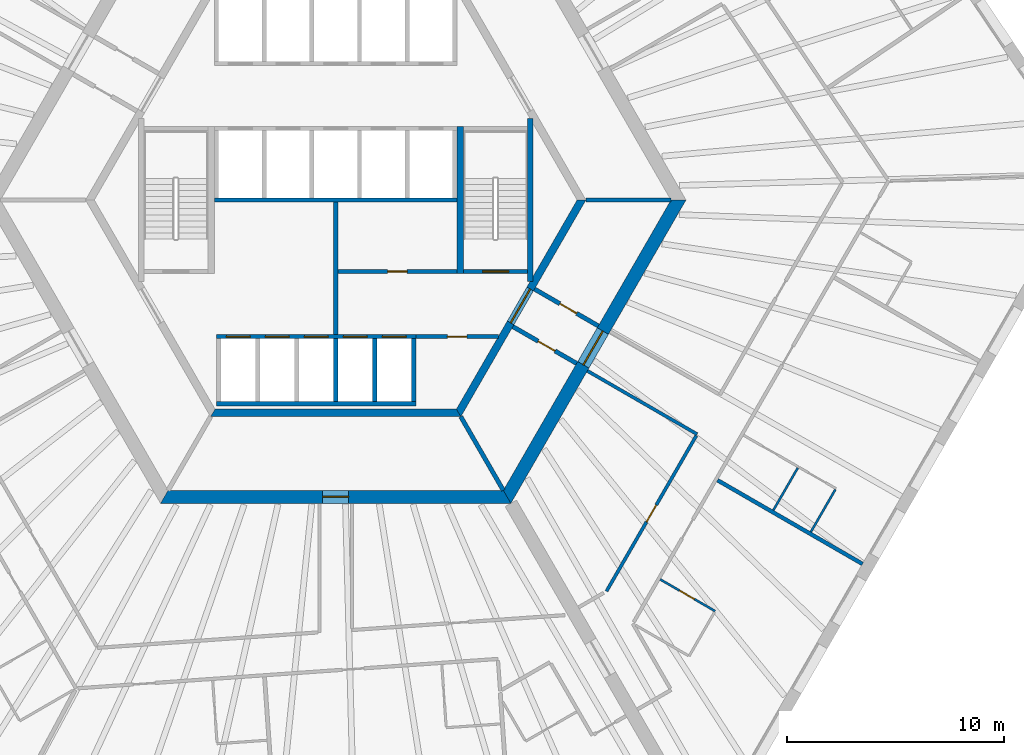
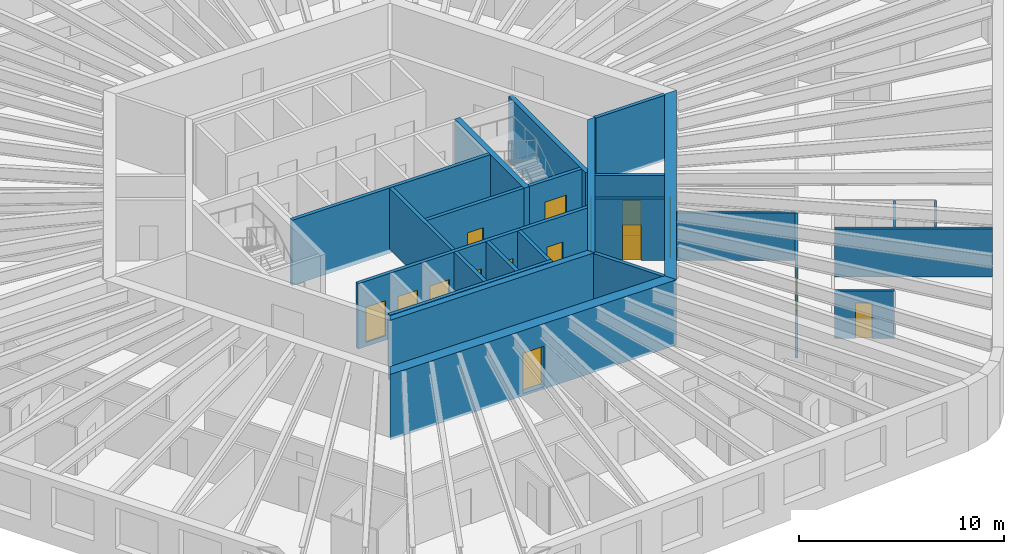
# One storey, part 5 of 12: 26 walls, 15 doors, 15 openings.
"""IFC4 building model written with IfcOpenShell, lengths in metres."""

from ifc_helpers import new_model, si_unit, direction, frame, frame_2d, origin, place, context, subcontext, project, spatial, polyline, rectangle, outline, extrude, material, layer, layer_set, type_object, element, fill, save


model = new_model("IFC4")

# Units and contexts
model_context = context("Model", 3, precision=1e-05, world=origin(), true_north=direction((0.0, 1.0)))
body_context = subcontext(model_context, "Body", "Model", "MODEL_VIEW")
ifc_project = project(units=[si_unit("LENGTHUNIT", "METRE"), si_unit("AREAUNIT", "SQUARE_METRE"), si_unit("VOLUMEUNIT", "CUBIC_METRE"), si_unit("PLANEANGLEUNIT", "RADIAN"), si_unit("MASSUNIT", "GRAM", prefix="KILO")], contexts=[model_context])

# Site, building, storey
site_placement = place(None, origin())
site = spatial("IfcSite", under=ifc_project, at=site_placement, CompositionType="ELEMENT")
building_placement = place(site_placement, origin())
building = spatial("IfcBuilding", under=site, at=building_placement, Name="Tarnside Tower", CompositionType="ELEMENT")
storey_placement = place(building_placement, frame((0.0, 0.0, 138.89990234375)))
storey = spatial("IfcBuildingStorey", under=building, at=storey_placement, Name="L32", CompositionType="ELEMENT", Elevation=138.89990234375)

# Wall, opening, door
ifc_material_1 = material(Name="Gypsum board partition on steel studs", Category="steel")
ifc_layer_1 = layer(ifc_material_1, 0.10009765625)
ifc_layer_set_1 = layer_set([ifc_layer_1], Name="Bathroom wall 100")
wall_type_1 = type_object("IfcWallType", Name="Bathroom wall 100", PredefinedType="PARTITIONING", material=ifc_layer_set_1)
wall_1_placement = place(storey_placement, frame((14.97705078125, -17.509033203125, 0.0), z_axis=(0.0, 0.0, 1.0), x_axis=(0.866046596414, -0.499963291492, 0.0)))
wall_1 = element("IfcWall", 1, at=wall_1_placement, inside=storey, type_object=wall_type_1, Name="Bathroom wall 10132", PredefinedType="PARTITIONING", context=body_context, shape_type="SweptSolid", body=[
    extrude(rectangle(XDim=2.925048828125, YDim=0.10009765625, at=frame_2d((1.46240234375, 0.0))), origin(), (0.0, 0.0, 1.0), 2.837890625),
])
opening_1_placement = place(wall_1_placement, frame((1.02490234375, 0.0, 0.0)))
opening_1 = element("IfcOpeningElement", 2, at=opening_1_placement, cuts=wall_1, Name="Opening D-B1", PredefinedType="OPENING", context=body_context, shape_type="SweptSolid", body=[
    extrude(rectangle(XDim=0.800048828125, YDim=2.10009765625, at=frame_2d((0.39990234375, 1.050048828125))), frame((0.0, 0.06005859375, 0.0), z_axis=(0.0, -1.0, 0.0), x_axis=(1.0, 0.0, 0.0)), (0.0, 0.0, 1.0), 0.1201171875),
])
ifc_material_2 = material(Name="Timber door leaf", Category="wood")
door_type_1 = type_object("IfcDoorType", Name="Bathroom door 800", OperationType="NOTDEFINED", PredefinedType="DOOR", material=ifc_material_2)
door_1_placement = place(opening_1_placement, origin())
door_1 = element("IfcDoor", 3, at=door_1_placement, inside=storey, type_object=door_type_1, Name="Bathroom door 10030", OperationType="SINGLE_SWING_RIGHT", OverallHeight=2.10009765625, OverallWidth=0.800048828125, PredefinedType="DOOR", context=body_context, shape_type="SweptSolid", body=[
    extrude(rectangle(XDim=0.800048828125, YDim=2.10009765625, at=frame_2d((0.39990234375, 1.050048828125))), frame((0.0, 0.02490234375, 0.0), z_axis=(0.0, -1.0, 0.0), x_axis=(1.0, 0.0, 0.0)), (0.0, 0.0, 1.0), 0.050048828125),
])
fill(opening_1, door_1)

# Walls
wall_2_placement = place(storey_placement, frame((20.197998046875, -14.31591796875, 0.0), z_axis=(0.0, 0.0, 1.0), x_axis=(0.500031020067, 0.8660074936, 0.0)))
element("IfcWall", 4, at=wall_2_placement, inside=storey, type_object=wall_type_1, Name="Bathroom wall 10143", PredefinedType="PARTITIONING", context=body_context, shape_type="SweptSolid", body=[
    extrude(rectangle(XDim=2.260009765625, YDim=0.10009765625, at=frame_2d((1.1298828125, 0.0))), origin(), (0.0, 0.0, 1.0), 2.837890625),
])
ifc_material_3 = material(Name="Concrete C50/60", Category="concrete")
ifc_layer_2 = layer(ifc_material_3, 0.35009765625)
ifc_layer_set_2 = layer_set([ifc_layer_2], Name="Core block wall 350 C50/60")
wall_type_2 = type_object("IfcWallType", Name="Core block wall 350 C50/60", PredefinedType="SHEAR", material=ifc_layer_set_2)
wall_3_placement = place(storey_placement, frame((-5.672607421875, -9.824951171875, -0.14990234375), z_axis=(0.0, 0.0, 1.0), x_axis=(1.0, 0.0, 0.0)))
element("IfcWall", 5, at=wall_3_placement, inside=storey, type_object=wall_type_2, Name="L32 core block wall face 4", PredefinedType="SHEAR", context=body_context, shape_type="SweptSolid", body=[
    extrude(outline(polyline([(-0.10107421875, -0.175048828125), (11.4462890625, -0.175048828125), (11.244140625, 0.175048828125), (0.10107421875, 0.175048828125), (-0.10107421875, -0.175048828125)])), origin(), (0.0, 0.0, 1.0), 3.89990234375),
])

# Wall, opening, door
wall_4_placement = place(storey_placement, frame((5.672607421875, -9.824951171875, -0.14990234375), z_axis=(0.0, 0.0, 1.0), x_axis=(0.499995046907, 0.866028263435, 0.0)))
wall_4 = element("IfcWall", 6, at=wall_4_placement, inside=storey, type_object=wall_type_2, Name="L32 core block wall face 5", PredefinedType="SHEAR", context=body_context, shape_type="SweptSolid", body=[
    extrude(outline(polyline([(-0.10107421875, -0.175048828125), (11.44580078125, -0.175048828125), (11.24365234375, 0.175048828125), (0.10107421875, 0.175048828125), (-0.10107421875, -0.175048828125)])), origin(), (0.0, 0.0, 1.0), 3.89990234375),
])
opening_2_placement = place(wall_4_placement, frame((4.80126953125, 0.0, 0.14990234375)))
opening_2 = element("IfcOpeningElement", 7, at=opening_2_placement, cuts=wall_4, Name="Opening CD-FFL", PredefinedType="OPENING", context=body_context, shape_type="SweptSolid", body=[
    extrude(rectangle(XDim=1.800048828125, YDim=2.39990234375, at=frame_2d((0.89990234375, 1.199951171875))), frame((0.0, 0.18505859375, 0.0), z_axis=(0.0, -1.0, 0.0), x_axis=(1.0, 0.0, 0.0)), (0.0, 0.0, 1.0), 0.3701171875),
])
ifc_material_4 = material(Name="Steel fire door", Category="steel")
door_type_2 = type_object("IfcDoorType", Name="Firefighting lobby double door FD60S 1800x2400", OperationType="NOTDEFINED", PredefinedType="DOOR", material=ifc_material_4)
door_2_placement = place(opening_2_placement, origin())
door_2 = element("IfcDoor", 8, at=door_2_placement, inside=storey, type_object=door_type_2, Name="L32 lobby block door P4", OperationType="DOUBLE_DOOR_SINGLE_SWING", OverallHeight=2.39990234375, OverallWidth=1.800048828125, PredefinedType="DOOR", context=body_context, shape_type="SweptSolid", body=[
    extrude(rectangle(XDim=1.800048828125, YDim=2.39990234375, at=frame_2d((0.89990234375, 1.199951171875))), frame((0.0, 0.02490234375, 0.0), z_axis=(0.0, -1.0, 0.0), x_axis=(1.0, 0.0, 0.0)), (0.0, 0.0, 1.0), 0.050048828125),
])
fill(opening_2, door_2)

ifc_material_5 = material(Name="Concrete C40/50", Category="concrete")
ifc_layer_3 = layer(ifc_material_5, 0.199951171875)
ifc_layer_set_3 = layer_set([ifc_layer_3], Name="Core room partition 200 C40/50")
wall_type_3 = type_object("IfcWallType", Name="Core room partition 200 C40/50", PredefinedType="PARTITIONING", material=ifc_layer_set_3)
wall_5_placement = place(storey_placement, frame((0.10009765625, -3.300048828125, 0.0), z_axis=(0.0, 0.0, 1.0), x_axis=(1.0, 0.0, 0.0)))
wall_5 = element("IfcWall", 9, at=wall_5_placement, inside=storey, type_object=wall_type_3, Name="L32 core partition R3S1", PredefinedType="PARTITIONING", context=body_context, shape_type="SweptSolid", body=[
    extrude(rectangle(XDim=5.5, YDim=0.199951171875, at=frame_2d((2.75, 0.0))), origin(), (0.0, 0.0, 1.0), 3.650146484375),
])
opening_3_placement = place(wall_5_placement, frame((2.300048828125, 0.0, 0.0)))
opening_3 = element("IfcOpeningElement", 10, at=opening_3_placement, cuts=wall_5, Name="Opening CD-room", PredefinedType="OPENING", context=body_context, shape_type="SweptSolid", body=[
    extrude(rectangle(XDim=0.89990234375, YDim=2.10009765625, at=frame_2d((0.449951171875, 1.050048828125))), frame((0.0, 0.10986328125, 0.0), z_axis=(0.0, -1.0, 0.0), x_axis=(1.0, 0.0, 0.0)), (0.0, 0.0, 1.0), 0.219970703125),
])
door_type_3 = type_object("IfcDoorType", Name="Room door FD60 900x2100", OperationType="NOTDEFINED", PredefinedType="DOOR", material=ifc_material_4)
door_3_placement = place(opening_3_placement, origin())
door_3 = element("IfcDoor", 11, at=door_3_placement, inside=storey, type_object=door_type_3, Name="L32 core room door SR1", OperationType="SINGLE_SWING_LEFT", OverallHeight=2.10009765625, OverallWidth=0.89990234375, PredefinedType="DOOR", context=body_context, shape_type="SweptSolid", body=[
    extrude(rectangle(XDim=0.89990234375, YDim=2.10009765625, at=frame_2d((0.449951171875, 1.050048828125))), frame((0.0, 0.02490234375, 0.0), z_axis=(0.0, -1.0, 0.0), x_axis=(1.0, 0.0, 0.0)), (0.0, 0.0, 1.0), 0.050048828125),
])
fill(opening_3, door_3)

# Wall
wall_6_placement = place(storey_placement, frame((0.0, -6.199951171875, 0.0), z_axis=(0.0, 0.0, 1.0), x_axis=(0.0, 1.0, 0.0)))
element("IfcWall", 12, at=wall_6_placement, inside=storey, type_object=wall_type_3, Name="L32 core partition X0", PredefinedType="PARTITIONING", context=body_context, shape_type="SweptSolid", body=[
    extrude(rectangle(XDim=6.099853515625, YDim=0.199951171875, at=frame_2d((3.0498046875, 0.0))), origin(), (0.0, 0.0, 1.0), 3.650146484375),
])

# Wall, opening, door
wall_7_placement = place(storey_placement, frame((3.699951171875, -6.300048828125, 0.0), z_axis=(0.0, 0.0, 1.0), x_axis=(1.0, 0.0, 0.0)))
wall_7 = element("IfcWall", 13, at=wall_7_placement, inside=storey, type_object=wall_type_3, Name="L32 core partition R4X", PredefinedType="PARTITIONING", context=body_context, shape_type="SweptSolid", body=[
    extrude(rectangle(XDim=3.8056640625, YDim=0.199951171875, at=frame_2d((1.90283203125, 0.0))), origin(), (0.0, 0.0, 1.0), 3.650146484375),
])
opening_4_placement = place(wall_7_placement, frame((1.452880859375, 0.0, 0.0)))
opening_4 = element("IfcOpeningElement", 14, at=opening_4_placement, cuts=wall_7, Name="Opening CD-room", PredefinedType="OPENING", context=body_context, shape_type="SweptSolid", body=[
    extrude(rectangle(XDim=0.89990234375, YDim=2.10009765625, at=frame_2d((0.449951171875, 1.050048828125))), frame((0.0, 0.10986328125, 0.0), z_axis=(0.0, -1.0, 0.0), x_axis=(1.0, 0.0, 0.0)), (0.0, 0.0, 1.0), 0.219970703125),
])
door_4_placement = place(opening_4_placement, origin())
door_4 = element("IfcDoor", 15, at=door_4_placement, inside=storey, type_object=door_type_3, Name="L32 core room door RX", OperationType="SINGLE_SWING_LEFT", OverallHeight=2.10009765625, OverallWidth=0.89990234375, PredefinedType="DOOR", context=body_context, shape_type="SweptSolid", body=[
    extrude(rectangle(XDim=0.89990234375, YDim=2.10009765625, at=frame_2d((0.449951171875, 1.050048828125))), frame((0.0, 0.02490234375, 0.0), z_axis=(0.0, -1.0, 0.0), x_axis=(1.0, 0.0, 0.0)), (0.0, 0.0, 1.0), 0.050048828125),
])
fill(opening_4, door_4)

wall_8_placement = place(storey_placement, frame((9.1748046875, -4.10888671875, 0.0), z_axis=(0.0, 0.0, 1.0), x_axis=(0.865989465428, -0.500062241894, 0.0)))
wall_8 = element("IfcWall", 16, at=wall_8_placement, inside=storey, type_object=wall_type_3, Name="L32 core partition AC4L", PredefinedType="PARTITIONING", context=body_context, shape_type="SweptSolid", body=[
    extrude(rectangle(XDim=3.39990234375, YDim=0.199951171875, at=frame_2d((1.699951171875, 0.0))), origin(), (0.0, 0.0, 1.0), 3.650146484375),
])
opening_5_placement = place(wall_8_placement, frame((1.3505859375, 0.0, 0.0)))
opening_5 = element("IfcOpeningElement", 17, at=opening_5_placement, cuts=wall_8, Name="Opening CD-room", PredefinedType="OPENING", context=body_context, shape_type="SweptSolid", body=[
    extrude(rectangle(XDim=0.89990234375, YDim=2.10009765625, at=frame_2d((0.449951171875, 1.050048828125))), frame((0.0, 0.10986328125, 0.0), z_axis=(0.0, -1.0, 0.0), x_axis=(1.0, 0.0, 0.0)), (0.0, 0.0, 1.0), 0.219970703125),
])
door_5_placement = place(opening_5_placement, origin())
door_5 = element("IfcDoor", 18, at=door_5_placement, inside=storey, type_object=door_type_3, Name="L32 core room door AX4L", OperationType="SINGLE_SWING_LEFT", OverallHeight=2.10009765625, OverallWidth=0.89990234375, PredefinedType="DOOR", context=body_context, shape_type="SweptSolid", body=[
    extrude(rectangle(XDim=0.89990234375, YDim=2.10009765625, at=frame_2d((0.449951171875, 1.050048828125))), frame((0.0, 0.02490234375, 0.0), z_axis=(0.0, -1.0, 0.0), x_axis=(1.0, 0.0, 0.0)), (0.0, 0.0, 1.0), 0.050048828125),
])
fill(opening_5, door_5)

wall_9_placement = place(storey_placement, frame((8.1748046875, -5.841064453125, 0.0), z_axis=(0.0, 0.0, 1.0), x_axis=(0.866020560687, -0.500008388397, 0.0)))
wall_9 = element("IfcWall", 19, at=wall_9_placement, inside=storey, type_object=wall_type_3, Name="L32 core partition AC4R", PredefinedType="PARTITIONING", context=body_context, shape_type="SweptSolid", body=[
    extrude(rectangle(XDim=3.39990234375, YDim=0.199951171875, at=frame_2d((1.699951171875, 0.0))), origin(), (0.0, 0.0, 1.0), 3.650146484375),
])
opening_6_placement = place(wall_9_placement, frame((1.349609375, 0.0, 0.0)))
opening_6 = element("IfcOpeningElement", 20, at=opening_6_placement, cuts=wall_9, Name="Opening CD-room", PredefinedType="OPENING", context=body_context, shape_type="SweptSolid", body=[
    extrude(rectangle(XDim=0.89990234375, YDim=2.10009765625, at=frame_2d((0.449951171875, 1.050048828125))), frame((0.0, 0.10986328125, 0.0), z_axis=(0.0, -1.0, 0.0), x_axis=(1.0, 0.0, 0.0)), (0.0, 0.0, 1.0), 0.219970703125),
])
door_6_placement = place(opening_6_placement, origin())
door_6 = element("IfcDoor", 21, at=door_6_placement, inside=storey, type_object=door_type_3, Name="L32 core room door AX4R", OperationType="SINGLE_SWING_LEFT", OverallHeight=2.10009765625, OverallWidth=0.89990234375, PredefinedType="DOOR", context=body_context, shape_type="SweptSolid", body=[
    extrude(rectangle(XDim=0.89990234375, YDim=2.10009765625, at=frame_2d((0.449951171875, 1.050048828125))), frame((0.0, 0.02490234375, 0.0), z_axis=(0.0, -1.0, 0.0), x_axis=(1.0, 0.0, 0.0)), (0.0, 0.0, 1.0), 0.050048828125),
])
fill(opening_6, door_6)

ifc_material_6 = material(Name="Concrete C80/95", Category="concrete")
ifc_layer_4 = layer(ifc_material_6, 0.60009765625)
ifc_layer_set_4 = layer_set([ifc_layer_4], Name="Core wall Z1 600 C80/95")
wall_type_4 = type_object("IfcWallType", Name="Core wall Z1 600 C80/95", PredefinedType="SHEAR", material=ifc_layer_set_4)
wall_10_placement = place(storey_placement, frame((-7.90966796875, -13.699951171875, -0.14990234375), z_axis=(0.0, 0.0, 1.0), x_axis=(1.0, 0.0, 0.0)))
wall_10 = element("IfcWall", 22, at=wall_10_placement, inside=storey, type_object=wall_type_4, Name="L32 core wall face 4", PredefinedType="SHEAR", context=body_context, shape_type="SweptSolid", body=[
    extrude(outline(polyline([(-0.17333984375, -0.300048828125), (15.99267578125, -0.300048828125), (15.64599609375, 0.300048828125), (0.17333984375, 0.300048828125), (-0.17333984375, -0.300048828125)])), origin(), (0.0, 0.0, 1.0), 3.89990234375),
])
opening_7_placement = place(wall_10_placement, frame((7.309814453125, 0.0, 0.14990234375)))
opening_7 = element("IfcOpeningElement", 23, at=opening_7_placement, cuts=wall_10, Name="Opening CD-RSR", PredefinedType="OPENING", context=body_context, shape_type="SweptSolid", body=[
    extrude(rectangle(XDim=1.199951171875, YDim=2.39990234375, at=frame_2d((0.60009765625, 1.199951171875))), frame((0.0, 0.31005859375, 0.0), z_axis=(0.0, -1.0, 0.0), x_axis=(1.0, 0.0, 0.0)), (0.0, 0.0, 1.0), 0.6201171875),
])
door_type_4 = type_object("IfcDoorType", Name="Riser door FD60 1200x2400", OperationType="NOTDEFINED", PredefinedType="DOOR", material=ifc_material_4)
door_7_placement = place(opening_7_placement, origin())
door_7 = element("IfcDoor", 24, at=door_7_placement, inside=storey, type_object=door_type_4, Name="L32 core door S6", OperationType="SINGLE_SWING_LEFT", OverallHeight=2.39990234375, OverallWidth=1.199951171875, PredefinedType="DOOR", context=body_context, shape_type="SweptSolid", body=[
    extrude(rectangle(XDim=1.199951171875, YDim=2.39990234375, at=frame_2d((0.60009765625, 1.199951171875))), frame((0.0, 0.02490234375, 0.0), z_axis=(0.0, -1.0, 0.0), x_axis=(1.0, 0.0, 0.0)), (0.0, 0.0, 1.0), 0.050048828125),
])
fill(opening_7, door_7)

wall_11_placement = place(storey_placement, frame((7.90966796875, -13.699951171875, -0.14990234375), z_axis=(0.0, 0.0, 1.0), x_axis=(0.499999880136, 0.866025472988, 0.0)))
wall_11 = element("IfcWall", 25, at=wall_11_placement, inside=storey, type_object=wall_type_4, Name="L32 core wall face 5", PredefinedType="SHEAR", context=body_context, shape_type="SweptSolid", body=[
    extrude(outline(polyline([(-0.17333984375, -0.300048828125), (15.99267578125, -0.300048828125), (15.64599609375, 0.300048828125), (0.17333984375, 0.300048828125), (-0.17333984375, -0.300048828125)])), origin(), (0.0, 0.0, 1.0), 3.89990234375),
])
opening_8_placement = place(wall_11_placement, frame((7.03857421875, 0.0, 0.14990234375)))
opening_8 = element("IfcOpeningElement", 26, at=opening_8_placement, cuts=wall_11, Name="Opening CD-FFL", PredefinedType="OPENING", context=body_context, shape_type="SweptSolid", body=[
    extrude(rectangle(XDim=1.800048828125, YDim=2.39990234375, at=frame_2d((0.89990234375, 1.199951171875))), frame((0.0, 0.31005859375, 0.0), z_axis=(0.0, -1.0, 0.0), x_axis=(1.0, 0.0, 0.0)), (0.0, 0.0, 1.0), 0.6201171875),
])
door_8_placement = place(opening_8_placement, origin())
door_8 = element("IfcDoor", 27, at=door_8_placement, inside=storey, type_object=door_type_2, Name="L32 core door P4", OperationType="DOUBLE_DOOR_SINGLE_SWING", OverallHeight=2.39990234375, OverallWidth=1.800048828125, PredefinedType="DOOR", context=body_context, shape_type="SweptSolid", body=[
    extrude(rectangle(XDim=1.800048828125, YDim=2.39990234375, at=frame_2d((0.89990234375, 1.199951171875))), frame((0.0, 0.02490234375, 0.0), z_axis=(0.0, -1.0, 0.0), x_axis=(1.0, 0.0, 0.0)), (0.0, 0.0, 1.0), 0.050048828125),
])
fill(opening_8, door_8)

# Wall
ifc_layer_5 = layer(ifc_material_1, 0.14990234375)
ifc_layer_set_5 = layer_set([ifc_layer_5], Name="Corridor wall 150 EI 60")
wall_type_5 = type_object("IfcWallType", Name="Corridor wall 150 EI 60", PredefinedType="PARTITIONING", material=ifc_layer_set_5)
wall_12_placement = place(storey_placement, frame((11.61376953125, -7.88427734375, 0.0), z_axis=(0.0, 0.0, 1.0), x_axis=(0.866018092707, -0.500012662943, 0.0)))
element("IfcWall", 28, at=wall_12_placement, inside=storey, type_object=wall_type_5, Name="Corridor wall 10071", PredefinedType="PARTITIONING", context=body_context, shape_type="SweptSolid", body=[
    extrude(rectangle(XDim=5.849853515625, YDim=0.14990234375, at=frame_2d((2.9248046875, 0.0))), origin(), (0.0, 0.0, 1.0), 2.837890625),
])

# Wall, opening, door
wall_13_placement = place(storey_placement, frame((16.642578125, -10.874267578125, 0.0), z_axis=(0.0, 0.0, 1.0), x_axis=(-0.50000192383, -0.866024293058, 0.0)))
wall_13 = element("IfcWall", 29, at=wall_13_placement, inside=storey, type_object=wall_type_5, Name="Corridor wall 10072", PredefinedType="PARTITIONING", context=body_context, shape_type="SweptSolid", body=[
    extrude(rectangle(XDim=8.29296875, YDim=0.14990234375, at=frame_2d((4.146484375, 0.0))), origin(), (0.0, 0.0, 1.0), 2.837890625),
])
opening_9_placement = place(wall_13_placement, frame((3.696533203125, 0.0, 0.0)))
opening_9 = element("IfcOpeningElement", 30, at=opening_9_placement, cuts=wall_13, Name="Opening D-S1", PredefinedType="OPENING", context=body_context, shape_type="SweptSolid", body=[
    extrude(rectangle(XDim=0.89990234375, YDim=2.10009765625, at=frame_2d((0.449951171875, 1.050048828125))), frame((0.0, 0.0849609375, 0.0), z_axis=(0.0, -1.0, 0.0), x_axis=(1.0, 0.0, 0.0)), (0.0, 0.0, 1.0), 0.169921875),
])
door_type_5 = type_object("IfcDoorType", Name="Service room door 900 FD30S", OperationType="NOTDEFINED", PredefinedType="DOOR", material=ifc_material_2)
door_9_placement = place(opening_9_placement, origin())
door_9 = element("IfcDoor", 31, at=door_9_placement, inside=storey, type_object=door_type_5, Name="Service door 10049", OperationType="SINGLE_SWING_RIGHT", OverallHeight=2.10009765625, OverallWidth=0.89990234375, PredefinedType="DOOR", context=body_context, shape_type="SweptSolid", body=[
    extrude(rectangle(XDim=0.89990234375, YDim=2.10009765625, at=frame_2d((0.449951171875, 1.050048828125))), frame((0.0, 0.02490234375, 0.0), z_axis=(0.0, -1.0, 0.0), x_axis=(1.0, 0.0, 0.0)), (0.0, 0.0, 1.0), 0.050048828125),
])
fill(opening_9, door_9)

# Walls
ifc_layer_6 = layer(ifc_material_1, 0.179931640625)
ifc_layer_set_6 = layer_set([ifc_layer_6], Name="Demising wall 180 EI 60")
wall_type_6 = type_object("IfcWallType", Name="Demising wall 180 EI 60", PredefinedType="PARTITIONING", material=ifc_layer_set_6)
wall_14_placement = place(storey_placement, frame((24.31005859375, -16.7939453125, 0.0), z_axis=(0.0, 0.0, 1.0), x_axis=(-0.866027174938, 0.499996932259, 0.0)))
element("IfcWall", 32, at=wall_14_placement, inside=storey, type_object=wall_type_6, Name="Demising wall 10135", PredefinedType="PARTITIONING", context=body_context, shape_type="SweptSolid", body=[
    extrude(rectangle(XDim=7.72509765625, YDim=0.179931640625, at=frame_2d((3.862548828125, 0.0))), origin(), (0.0, 0.0, 1.0), 2.837890625),
])
ifc_layer_7 = layer(ifc_material_5, 0.199951171875)
ifc_layer_set_7 = layer_set([ifc_layer_7], Name="Lift shaft wall 200 C40/50")
wall_type_7 = type_object("IfcWallType", Name="Lift shaft wall 200 C40/50", PredefinedType="SHEAR", material=ifc_layer_set_7)
wall_15_placement = place(storey_placement, frame((-5.60009765625, 0.0, -0.25), z_axis=(0.0, 0.0, 1.0), x_axis=(1.0, 0.0, 0.0)))
element("IfcWall", 33, at=wall_15_placement, inside=storey, type_object=wall_type_7, Name="L32 lift shaft back wall R2", PredefinedType="SHEAR", context=body_context, shape_type="SweptSolid", body=[
    extrude(rectangle(XDim=11.2001953125, YDim=0.199951171875, at=frame_2d((5.60009765625, 0.0))), origin(), (0.0, 0.0, 1.0), 3.900146484375),
])

# Wall, openings, doors
wall_16_placement = place(storey_placement, frame((-5.5, -6.300048828125, -0.25), z_axis=(0.0, 0.0, 1.0), x_axis=(1.0, 0.0, 0.0)))
wall_16 = element("IfcWall", 34, at=wall_16_placement, inside=storey, type_object=wall_type_7, Name="L32 lift shaft front wall R4", PredefinedType="SHEAR", context=body_context, shape_type="SweptSolid", body=[
    extrude(rectangle(XDim=9.199951171875, YDim=0.199951171875, at=frame_2d((4.60009765625, 0.0))), origin(), (0.0, 0.0, 1.0), 3.900146484375),
])
opening_10_placement = place(wall_16_placement, frame((0.449951171875, 0.0, 0.25)))
opening_10 = element("IfcOpeningElement", 35, at=opening_10_placement, cuts=wall_16, Name="Opening LDF", PredefinedType="OPENING", context=body_context, shape_type="SweptSolid", body=[
    extrude(rectangle(XDim=1.10009765625, YDim=2.10009765625, at=frame_2d((0.550048828125, 1.050048828125))), frame((0.0, 0.10986328125, 0.0), z_axis=(0.0, -1.0, 0.0), x_axis=(1.0, 0.0, 0.0)), (0.0, 0.0, 1.0), 0.219970703125),
])
opening_11_placement = place(wall_16_placement, frame((2.25, 0.0, 0.25)))
opening_11 = element("IfcOpeningElement", 36, at=opening_11_placement, cuts=wall_16, Name="Opening LDF", PredefinedType="OPENING", context=body_context, shape_type="SweptSolid", body=[
    extrude(rectangle(XDim=1.10009765625, YDim=2.10009765625, at=frame_2d((0.550048828125, 1.050048828125))), frame((0.0, 0.10986328125, 0.0), z_axis=(0.0, -1.0, 0.0), x_axis=(1.0, 0.0, 0.0)), (0.0, 0.0, 1.0), 0.219970703125),
])
opening_12_placement = place(wall_16_placement, frame((4.050048828125, 0.0, 0.25)))
opening_12 = element("IfcOpeningElement", 37, at=opening_12_placement, cuts=wall_16, Name="Opening LDF", PredefinedType="OPENING", context=body_context, shape_type="SweptSolid", body=[
    extrude(rectangle(XDim=1.10009765625, YDim=2.10009765625, at=frame_2d((0.550048828125, 1.050048828125))), frame((0.0, 0.10986328125, 0.0), z_axis=(0.0, -1.0, 0.0), x_axis=(1.0, 0.0, 0.0)), (0.0, 0.0, 1.0), 0.219970703125),
])
opening_13_placement = place(wall_16_placement, frame((5.85009765625, 0.0, 0.25)))
opening_13 = element("IfcOpeningElement", 38, at=opening_13_placement, cuts=wall_16, Name="Opening LDF", PredefinedType="OPENING", context=body_context, shape_type="SweptSolid", body=[
    extrude(rectangle(XDim=1.10009765625, YDim=2.10009765625, at=frame_2d((0.550048828125, 1.050048828125))), frame((0.0, 0.10986328125, 0.0), z_axis=(0.0, -1.0, 0.0), x_axis=(1.0, 0.0, 0.0)), (0.0, 0.0, 1.0), 0.219970703125),
])
opening_14_placement = place(wall_16_placement, frame((7.64990234375, 0.0, 0.25)))
opening_14 = element("IfcOpeningElement", 39, at=opening_14_placement, cuts=wall_16, Name="Opening LDF", PredefinedType="OPENING", context=body_context, shape_type="SweptSolid", body=[
    extrude(rectangle(XDim=1.10009765625, YDim=2.10009765625, at=frame_2d((0.550048828125, 1.050048828125))), frame((0.0, 0.10986328125, 0.0), z_axis=(0.0, -1.0, 0.0), x_axis=(1.0, 0.0, 0.0)), (0.0, 0.0, 1.0), 0.219970703125),
])
ifc_material_7 = material(Name="Stainless steel", Category="steel")
door_type_6 = type_object("IfcDoorType", Name="Lift landing door 1100x2100 EI 120", OperationType="NOTDEFINED", PredefinedType="DOOR", material=ifc_material_7)
door_10_placement = place(opening_10_placement, origin())
door_10 = element("IfcDoor", 40, at=door_10_placement, inside=storey, type_object=door_type_6, Name="Firefighting lift 1 landing door L32", OperationType="SLIDING_TO_LEFT", OverallHeight=2.10009765625, OverallWidth=1.10009765625, PredefinedType="DOOR", context=body_context, shape_type="SweptSolid", body=[
    extrude(rectangle(XDim=1.10009765625, YDim=2.10009765625, at=frame_2d((0.550048828125, 1.050048828125))), frame((0.0, 0.02490234375, 0.0), z_axis=(0.0, -1.0, 0.0), x_axis=(1.0, 0.0, 0.0)), (0.0, 0.0, 1.0), 0.050048828125),
])
fill(opening_10, door_10)
door_11_placement = place(opening_11_placement, origin())
door_11 = element("IfcDoor", 41, at=door_11_placement, inside=storey, type_object=door_type_6, Name="Firefighting lift 2 landing door L32", OperationType="SLIDING_TO_LEFT", OverallHeight=2.10009765625, OverallWidth=1.10009765625, PredefinedType="DOOR", context=body_context, shape_type="SweptSolid", body=[
    extrude(rectangle(XDim=1.10009765625, YDim=2.10009765625, at=frame_2d((0.550048828125, 1.050048828125))), frame((0.0, 0.02490234375, 0.0), z_axis=(0.0, -1.0, 0.0), x_axis=(1.0, 0.0, 0.0)), (0.0, 0.0, 1.0), 0.050048828125),
])
fill(opening_11, door_11)
door_12_placement = place(opening_12_placement, origin())
door_12 = element("IfcDoor", 42, at=door_12_placement, inside=storey, type_object=door_type_6, Name="Firefighting lift 3 landing door L32", OperationType="SLIDING_TO_LEFT", OverallHeight=2.10009765625, OverallWidth=1.10009765625, PredefinedType="DOOR", context=body_context, shape_type="SweptSolid", body=[
    extrude(rectangle(XDim=1.10009765625, YDim=2.10009765625, at=frame_2d((0.550048828125, 1.050048828125))), frame((0.0, 0.02490234375, 0.0), z_axis=(0.0, -1.0, 0.0), x_axis=(1.0, 0.0, 0.0)), (0.0, 0.0, 1.0), 0.050048828125),
])
fill(opening_12, door_12)
door_13_placement = place(opening_13_placement, origin())
door_13 = element("IfcDoor", 43, at=door_13_placement, inside=storey, type_object=door_type_6, Name="Firefighting lift 4 landing door L32", OperationType="SLIDING_TO_LEFT", OverallHeight=2.10009765625, OverallWidth=1.10009765625, PredefinedType="DOOR", context=body_context, shape_type="SweptSolid", body=[
    extrude(rectangle(XDim=1.10009765625, YDim=2.10009765625, at=frame_2d((0.550048828125, 1.050048828125))), frame((0.0, 0.02490234375, 0.0), z_axis=(0.0, -1.0, 0.0), x_axis=(1.0, 0.0, 0.0)), (0.0, 0.0, 1.0), 0.050048828125),
])
fill(opening_13, door_13)
door_14_placement = place(opening_14_placement, origin())
door_14 = element("IfcDoor", 44, at=door_14_placement, inside=storey, type_object=door_type_6, Name="Firefighting lift 5 landing door L32", OperationType="SLIDING_TO_LEFT", OverallHeight=2.10009765625, OverallWidth=1.10009765625, PredefinedType="DOOR", context=body_context, shape_type="SweptSolid", body=[
    extrude(rectangle(XDim=1.10009765625, YDim=2.10009765625, at=frame_2d((0.550048828125, 1.050048828125))), frame((0.0, 0.02490234375, 0.0), z_axis=(0.0, -1.0, 0.0), x_axis=(1.0, 0.0, 0.0)), (0.0, 0.0, 1.0), 0.050048828125),
])
fill(opening_14, door_14)

# Walls
wall_17_placement = place(storey_placement, frame((-5.5, -9.39990234375, -0.25), z_axis=(0.0, 0.0, 1.0), x_axis=(1.0, 0.0, 0.0)))
element("IfcWall", 45, at=wall_17_placement, inside=storey, type_object=wall_type_7, Name="L32 lift shaft back wall R4", PredefinedType="SHEAR", context=body_context, shape_type="SweptSolid", body=[
    extrude(rectangle(XDim=9.199951171875, YDim=0.199951171875, at=frame_2d((4.60009765625, 0.0))), origin(), (0.0, 0.0, 1.0), 3.900146484375),
])
for number, where, z_axis, x_axis, name in (
    (46, (0.0, -9.300048828125, -0.25), (0.0, 0.0, 1.0), (0.0, 1.0, 0.0), "L32 lift shaft partition R44"),
    (47, (1.800048828125, -9.300048828125, -0.25), (0.0, 0.0, 1.0), (0.0, 1.0, 0.0), "L32 lift shaft partition R45"),
    (48, (3.60009765625, -9.300048828125, -0.25), (0.0, 0.0, 1.0), (0.0, 1.0, 0.0), "L32 lift shaft partition R46"),
):
    element("IfcWall", number, at=place(storey_placement, frame(where, z_axis=z_axis, x_axis=x_axis)), inside=storey, type_object=wall_type_7, Name=name, PredefinedType="SHEAR", context=body_context, shape_type="SweptSolid", body=[
        extrude(rectangle(XDim=2.900146484375, YDim=0.199951171875, at=frame_2d((1.4501953125, 0.0))), origin(), (0.0, 0.0, 1.0), 3.900146484375),
    ])
wall_18_placement = place(storey_placement, frame((11.547119140625, 0.0, -0.14990234375), z_axis=(0.0, 0.0, 1.0), x_axis=(1.0, 0.0, 0.0)))
element("IfcWall", 49, at=wall_18_placement, inside=storey, type_object=wall_type_7, Name="L32 core partition AR0", PredefinedType="SHEAR", context=body_context, shape_type="SweptSolid", body=[
    extrude(rectangle(XDim=3.92578125, YDim=0.199951171875, at=frame_2d((1.962890625, 0.0))), origin(), (0.0, 0.0, 1.0), 3.89990234375),
])
wall_19_placement = place(storey_placement, frame((5.7734375, -10.0, -0.14990234375), z_axis=(0.0, 0.0, 1.0), x_axis=(0.500038251005, -0.86600331843, 0.0)))
element("IfcWall", 50, at=wall_19_placement, inside=storey, type_object=wall_type_7, Name="L32 core partition AR300", PredefinedType="SHEAR", context=body_context, shape_type="SweptSolid", body=[
    extrude(rectangle(XDim=3.926025390625, YDim=0.199951171875, at=frame_2d((1.962890625, 0.0))), origin(), (0.0, 0.0, 1.0), 3.89990234375),
])

# Wall, opening, door
wall_20_placement = place(storey_placement, frame((5.89990234375, -3.300048828125, -0.25), z_axis=(0.0, 0.0, 1.0), x_axis=(1.0, 0.0, 0.0)))
wall_20 = element("IfcWall", 51, at=wall_20_placement, inside=storey, type_object=wall_type_7, Name="L32 stair 1 enclosure cap wall s", PredefinedType="SHEAR", context=body_context, shape_type="SweptSolid", body=[
    extrude(rectangle(XDim=2.9501953125, YDim=0.199951171875, at=frame_2d((1.47509765625, 0.0))), origin(), (0.0, 0.0, 1.0), 3.900146484375),
])
opening_15_placement = place(wall_20_placement, frame((0.875, 0.0, 0.25)))
opening_15 = element("IfcOpeningElement", 52, at=opening_15_placement, cuts=wall_20, Name="Opening CD-STR", PredefinedType="OPENING", context=body_context, shape_type="SweptSolid", body=[
    extrude(rectangle(XDim=1.199951171875, YDim=2.39990234375, at=frame_2d((0.60009765625, 1.199951171875))), frame((0.0, 0.10986328125, 0.0), z_axis=(0.0, -1.0, 0.0), x_axis=(1.0, 0.0, 0.0)), (0.0, 0.0, 1.0), 0.219970703125),
])
door_type_7 = type_object("IfcDoorType", Name="Stair door FD60S 1200x2400", OperationType="NOTDEFINED", PredefinedType="DOOR", material=ifc_material_4)
door_15_placement = place(opening_15_placement, origin())
door_15 = element("IfcDoor", 53, at=door_15_placement, inside=storey, type_object=door_type_7, Name="L32 stair 1 door", OperationType="SINGLE_SWING_LEFT", OverallHeight=2.39990234375, OverallWidth=1.199951171875, PredefinedType="DOOR", context=body_context, shape_type="SweptSolid", body=[
    extrude(rectangle(XDim=1.199951171875, YDim=2.39990234375, at=frame_2d((0.60009765625, 1.199951171875))), frame((0.0, 0.02490234375, 0.0), z_axis=(0.0, -1.0, 0.0), x_axis=(1.0, 0.0, 0.0)), (0.0, 0.0, 1.0), 0.050048828125),
])
fill(opening_15, door_15)

# Walls
ifc_layer_8 = layer(ifc_material_1, 0.10009765625)
ifc_layer_set_8 = layer_set([ifc_layer_8], Name="Partition 100")
wall_type_8 = type_object("IfcWallType", Name="Partition 100", PredefinedType="PARTITIONING", material=ifc_layer_set_8)
wall_21_placement = place(storey_placement, frame((23.06005859375, -13.358642578125, 0.0), z_axis=(0.0, 0.0, 1.0), x_axis=(-0.49995000081, -0.866054268906, 0.0)))
element("IfcWall", 54, at=wall_21_placement, inside=storey, type_object=wall_type_8, Name="Partition wall 10140", PredefinedType="PARTITIONING", context=body_context, shape_type="SweptSolid", body=[
    extrude(rectangle(XDim=2.260009765625, YDim=0.10009765625, at=frame_2d((1.1298828125, 0.0))), origin(), (0.0, 0.0, 1.0), 2.837890625),
])
ifc_layer_9 = layer(ifc_material_5, 0.25)
ifc_layer_set_9 = layer_set([ifc_layer_9], Name="Stair enclosure wall 250 C40/50")
wall_type_9 = type_object("IfcWallType", Name="Stair enclosure wall 250 C40/50", PredefinedType="SHEAR", material=ifc_layer_set_9)
wall_22_placement = place(storey_placement, frame((8.97509765625, -3.7548828125, -0.25), z_axis=(0.0, 0.0, 1.0), x_axis=(0.0, 1.0, 0.0)))
element("IfcWall", 55, at=wall_22_placement, inside=storey, type_object=wall_type_9, Name="L32 stair 1 enclosure wall outer", PredefinedType="SHEAR", context=body_context, shape_type="SweptSolid", body=[
    extrude(rectangle(XDim=7.509765625, YDim=0.25, at=frame_2d((3.7548828125, 0.0))), origin(), (0.0, 0.0, 1.0), 3.900146484375),
])
ifc_layer_10 = layer(ifc_material_5, 0.300048828125)
ifc_layer_set_10 = layer_set([ifc_layer_10], Name="Stair enclosure wall 300 C40/50")
wall_type_10 = type_object("IfcWallType", Name="Stair enclosure wall 300 C40/50", PredefinedType="SHEAR", material=ifc_layer_set_10)
wall_23_placement = place(storey_placement, frame((5.75, -3.39990234375, -0.25), z_axis=(0.0, 0.0, 1.0), x_axis=(0.0, 1.0, 0.0)))
element("IfcWall", 56, at=wall_23_placement, inside=storey, type_object=wall_type_10, Name="L32 stair 1 enclosure wall inner", PredefinedType="SHEAR", context=body_context, shape_type="SweptSolid", body=[
    extrude(rectangle(XDim=6.7998046875, YDim=0.300048828125, at=frame_2d((3.39990234375, 0.0))), origin(), (0.0, 0.0, 1.0), 3.900146484375),
])

save(model, "model.ifc")
